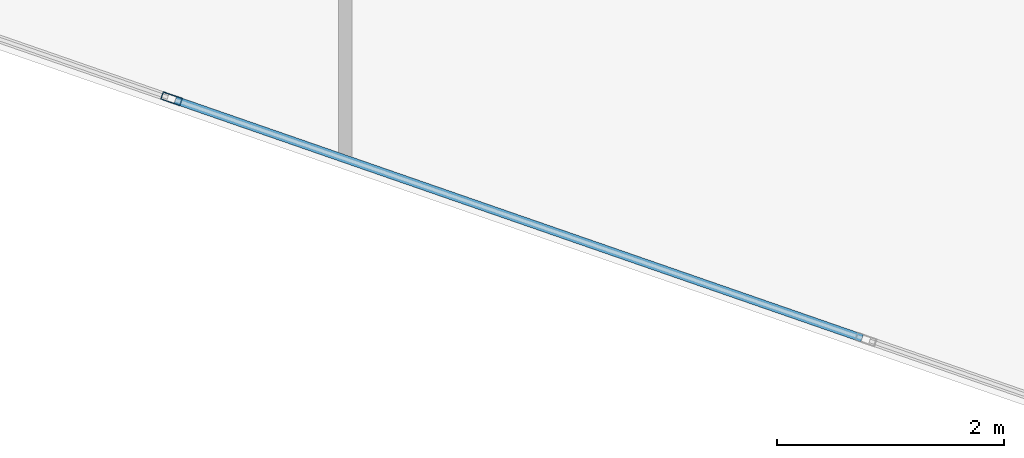
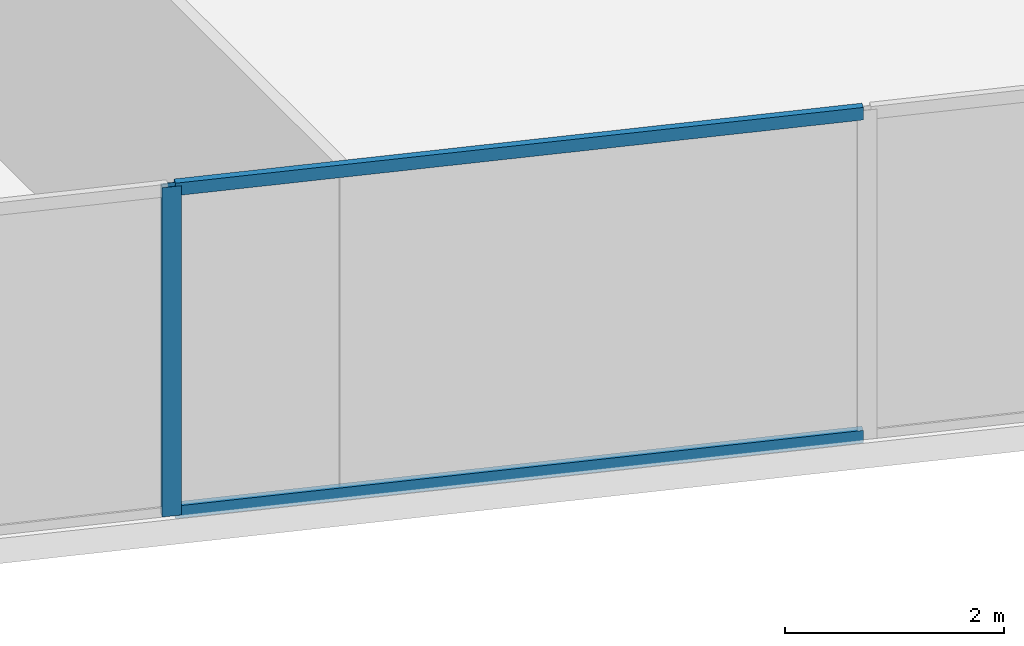
# One storey, part 4 of 27: 3 members, 1 element without a shape of its own.
"""IFC4 building model written with IfcOpenShell, lengths in metres."""

from ifc_helpers import new_model, si_unit, direction, frame, origin, origin_2d, place, context, subcontext, project, spatial, hollow_rectangle, extrude, source, transform, mapped, material, material_profile, profile_set, type_object, type_shapes, element, aggregate, save


model = new_model("IFC4")

# Units and contexts
model_context = context("Model", 3, precision=1e-05, world=origin(), true_north=direction((0.0, 1.0)))
body_context = subcontext(model_context, "Body", "Model", "MODEL_VIEW")
ifc_project = project(units=[si_unit("LENGTHUNIT", "METRE"), si_unit("AREAUNIT", "SQUARE_METRE"), si_unit("VOLUMEUNIT", "CUBIC_METRE"), si_unit("PLANEANGLEUNIT", "RADIAN"), si_unit("MASSUNIT", "GRAM", prefix="KILO")], contexts=[model_context])

# Site, building, storey
site_placement = place(None, origin())
site = spatial("IfcSite", under=ifc_project, at=site_placement, CompositionType="ELEMENT")
building_placement = place(site_placement, origin())
building = spatial("IfcBuilding", under=site, at=building_placement, Name="Krantzveldt Concourse Tower", CompositionType="ELEMENT")
storey_placement = place(building_placement, frame((0.0, 0.0, 121.64990234375)))
storey = spatial("IfcBuildingStorey", under=building, at=storey_placement, Name="L29", CompositionType="ELEMENT", Elevation=121.64990234375)

# Curtain wall, members
ifc_material = material(Name="Anodised aluminium 6063-T6", Category="aluminium")
curtain_wall_type = type_object("IfcCurtainWallType", Name="CW2", PredefinedType="USERDEFINED", material=ifc_material)
curtain_wall_placement = place(storey_placement, origin())
curtain_wall = element("IfcCurtainWall", 1, at=curtain_wall_placement, inside=storey, type_object=curtain_wall_type, Name="CW-L29-F04", ObjectType="UNITISED CURTAIN WALL", PredefinedType="USERDEFINED")
ifc_material_profile_1 = material_profile(ifc_material, hollow_rectangle(XDim=0.070068359375, YDim=0.179931640625, WallThickness=0.0048828125, at=origin_2d()), Name="Anodised aluminium 6063-T6", Category="aluminium")
ifc_profile_set_1 = profile_set([ifc_material_profile_1], Name="Anodised aluminium 6063-T6 - ALU-MULL 180x70x5")
member_type_1 = type_object("IfcMemberType", Name="CW-MUL-180", PredefinedType="MULLION", material=ifc_profile_set_1)
shared_shape_1 = source(origin(), body_context, "Body", "SweptSolid", [
    extrude(hollow_rectangle(XDim=0.070068359375, YDim=0.179931640625, WallThickness=0.0048828125, at=origin_2d()), origin(), (0.0, 0.0, 1.0), 3.670166015625),
])
type_shapes(member_type_1, [shared_shape_1])
member_1_placement = place(storey_placement, frame((34.47265625, 2.557861328125, 0.0), z_axis=(0.0, 0.0, 1.0), x_axis=(0.32763019404, 0.944806041446, 0.0)))
member_1 = element("IfcMember", 2, at=member_1_placement, type_object=member_type_1, Name="CW-Z12 mullion 5", PredefinedType="MULLION", context=body_context, shape_type="MappedRepresentation", body=[
    mapped(shared_shape_1, transform((0.0, 0.0, 0.0), x_axis=(1.0, 0.0, 0.0), y_axis=(0.0, 1.0, 0.0), z_axis=(0.0, 0.0, 1.0), scale=1.0)),
])
ifc_material_profile_2 = material_profile(ifc_material, hollow_rectangle(XDim=0.070068359375, YDim=0.139892578125, WallThickness=0.0048828125, at=origin_2d()), Name="Anodised aluminium 6063-T6", Category="aluminium")
ifc_profile_set_2 = profile_set([ifc_material_profile_2], Name="Anodised aluminium 6063-T6 - ALU-TRAN 140x70x5")
member_type_2 = type_object("IfcMemberType", Name="CW-TRN-150", PredefinedType="USERDEFINED", material=ifc_profile_set_2)
shared_shape_2 = source(origin(), body_context, "Body", "SweptSolid", [
    extrude(hollow_rectangle(XDim=0.070068359375, YDim=0.139892578125, WallThickness=0.0048828125, at=origin_2d()), origin(), (0.0, 0.0, 1.0), 6.396484375),
])
type_shapes(member_type_2, [shared_shape_2])
member_2_placement = place(storey_placement, frame((34.505859375, 2.54638671875, 0.03515625), z_axis=(0.944805325706, -0.327632258054, 0.0), x_axis=(0.327632258054, 0.944805325706, 0.0)))
member_2 = element("IfcMember", 3, at=member_2_placement, type_object=member_type_2, Name="CW-Z12 transom 5.1", ObjectType="TRANSOM", PredefinedType="USERDEFINED", context=body_context, shape_type="MappedRepresentation", body=[
    mapped(shared_shape_2, transform((0.0, 0.0, 0.0), x_axis=(1.0, 0.0, 0.0), y_axis=(0.0, 1.0, 0.0), z_axis=(0.0, 0.0, 1.0), scale=1.0)),
])
member_3_placement = place(storey_placement, frame((34.505859375, 2.54638671875, 3.635009765625), z_axis=(0.944805325706, -0.327632258054, 0.0), x_axis=(0.327632258054, 0.944805325706, 0.0)))
member_3 = element("IfcMember", 4, at=member_3_placement, type_object=member_type_2, Name="CW-Z12 transom 5.2", ObjectType="TRANSOM", PredefinedType="USERDEFINED", context=body_context, shape_type="MappedRepresentation", body=[
    mapped(shared_shape_2, transform((0.0, 0.0, 0.0), x_axis=(1.0, 0.0, 0.0), y_axis=(0.0, 1.0, 0.0), z_axis=(0.0, 0.0, 1.0), scale=1.0)),
])
aggregate(curtain_wall, [member_1, member_2, member_3])

save(model, "model.ifc")
